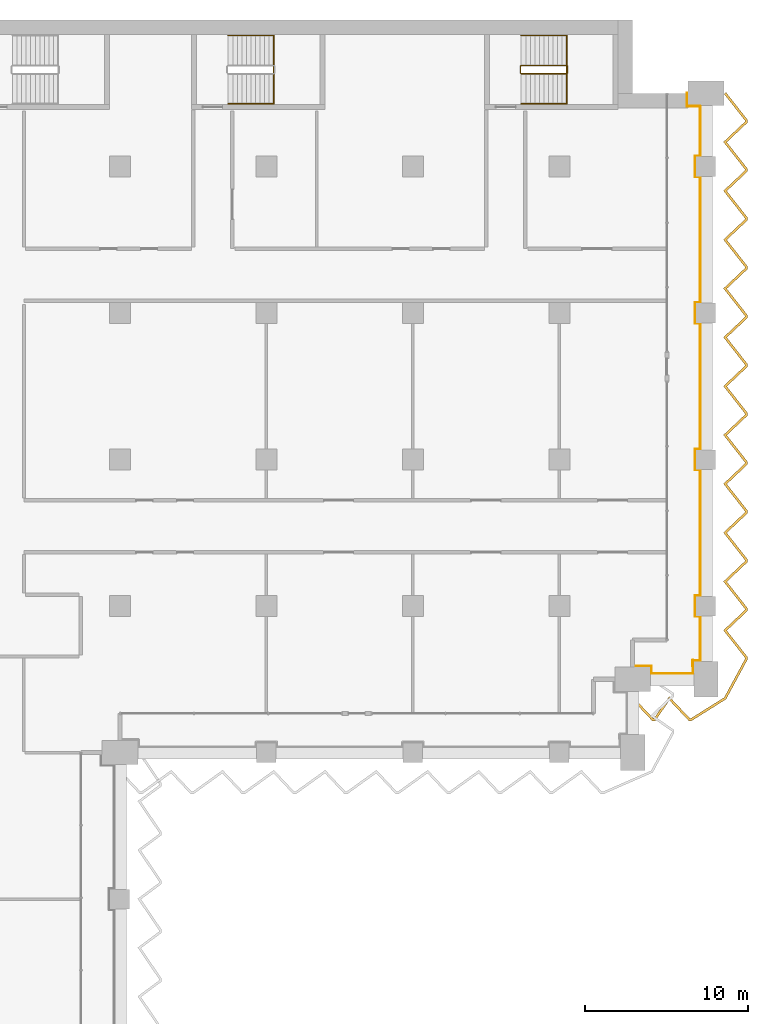
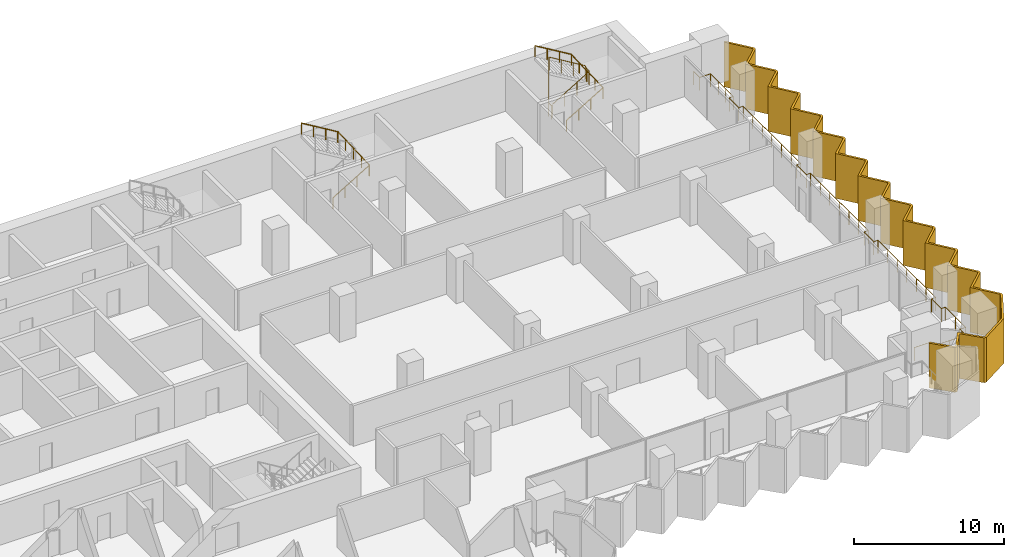
# One storey, part 22 of 22: 4 railings, 1 shading device.
"""IFC4 building model written with IfcOpenShell, lengths in metres."""

from ifc_helpers import new_model, si_unit, direction, frame, origin, origin_2d, place, context, subcontext, project, spatial, polyline, circle, outline, extrude, material, layer, layer_set, type_object, element, save


model = new_model("IFC4")

# Units and contexts
model_context = context("Model", 3, precision=1e-05, world=origin(), true_north=direction((0.0, 1.0)))
body_context = subcontext(model_context, "Body", "Model", "MODEL_VIEW")
ifc_project = project(units=[si_unit("LENGTHUNIT", "METRE"), si_unit("AREAUNIT", "SQUARE_METRE"), si_unit("VOLUMEUNIT", "CUBIC_METRE"), si_unit("PLANEANGLEUNIT", "RADIAN"), si_unit("MASSUNIT", "GRAM", prefix="KILO")], contexts=[model_context])

# Site, building, storey
site_placement = place(None, origin())
site = spatial("IfcSite", under=ifc_project, at=site_placement, CompositionType="ELEMENT")
building_placement = place(site_placement, origin())
building = spatial("IfcBuilding", under=site, at=building_placement, Name="Hunhe Ridgeline Campus", CompositionType="ELEMENT")
storey_placement = place(building_placement, frame((0.0, 0.0, 118.10009765625)))
storey = spatial("IfcBuildingStorey", under=building, at=storey_placement, Name="L29", CompositionType="ELEMENT", Elevation=118.10009765625)

# Railing
ifc_material_1 = material(Name="Steel Q355", Category="steel")
railing_type_1 = type_object("IfcRailingType", Name="Loggia guard 1100 Steel Q355", PredefinedType="GUARDRAIL", material=ifc_material_1)
railing_1_placement = place(storey_placement, frame((76.5, 59.320068359375, 0.0)))
element("IfcRailing", 1, at=railing_1_placement, inside=storey, type_object=railing_type_1, Name="Loggia guard 3", PredefinedType="GUARDRAIL", context=body_context, shape_type="SweptSolid", body=[
    extrude(circle(Radius=0.02392578125, at=origin_2d()), frame((0.0, 0.0, 1.076171875), z_axis=(1.0, 0.0, 0.0), x_axis=(0.0, 1.0, 0.0)), (0.0, 0.0, 1.0), 1.14990234375),
    extrude(circle(Radius=0.02392578125, at=origin_2d()), frame((1.14990234375, 0.0, 1.076171875), z_axis=(0.0, -1.0, 0.0), x_axis=(1.0, 0.0, 0.0)), (0.0, 0.0, 1.0), 0.469970703125),
    extrude(circle(Radius=0.02392578125, at=origin_2d()), frame((1.14990234375, -0.469970703125, 1.076171875), z_axis=(1.0, 0.0, 0.0), x_axis=(0.0, 1.0, 0.0)), (0.0, 0.0, 1.0), 2.550048828125),
    extrude(circle(Radius=0.02392578125, at=origin_2d()), frame((3.699951171875, -0.469970703125, 1.076171875), z_axis=(0.0, 1.0, 0.0), x_axis=(-1.0, 0.0, 0.0)), (0.0, 0.0, 1.0), 0.81982421875),
    extrude(circle(Radius=0.02392578125, at=origin_2d()), frame((3.699951171875, 0.349853515625, 1.076171875), z_axis=(-0.057129153726, -0.99836679622, 0.0), x_axis=(0.99836679622, -0.057129153726, 0.0)), (0.0, 0.0, 1.0), 0.350341796875),
    extrude(circle(Radius=0.02392578125, at=origin_2d()), frame((3.679931640625, 0.0, 1.076171875), z_axis=(0.0, 1.0, 0.0), x_axis=(-1.0, 0.0, 0.0)), (0.0, 0.0, 1.0), 0.329833984375),
    extrude(circle(Radius=0.02392578125, at=origin_2d()), frame((3.679931640625, 0.329833984375, 1.076171875), z_axis=(1.0, 0.0, 0.0), x_axis=(0.0, 1.0, 0.0)), (0.0, 0.0, 1.0), 0.469970703125),
    extrude(circle(Radius=0.02392578125, at=origin_2d()), frame((4.14990234375, 0.329833984375, 1.076171875), z_axis=(0.0, 1.0, 0.0), x_axis=(-1.0, 0.0, 0.0)), (0.0, 0.0, 1.0), 2.7001953125),
    extrude(circle(Radius=0.02392578125, at=origin_2d()), frame((4.14990234375, 3.030029296875, 1.076171875), z_axis=(-1.0, 0.0, 0.0), x_axis=(0.0, -1.0, 0.0)), (0.0, 0.0, 1.0), 0.31982421875),
    extrude(circle(Radius=0.02392578125, at=origin_2d()), frame((3.830078125, 3.030029296875, 1.076171875), z_axis=(0.0, 1.0, 0.0), x_axis=(-1.0, 0.0, 0.0)), (0.0, 0.0, 1.0), 1.2998046875),
    extrude(circle(Radius=0.02392578125, at=origin_2d()), frame((3.830078125, 4.329833984375, 1.076171875), z_axis=(1.0, 0.0, 0.0), x_axis=(0.0, 1.0, 0.0)), (0.0, 0.0, 1.0), 0.31982421875),
    extrude(circle(Radius=0.02392578125, at=origin_2d()), frame((4.14990234375, 4.329833984375, 1.076171875), z_axis=(0.0, 1.0, 0.0), x_axis=(-1.0, 0.0, 0.0)), (0.0, 0.0, 1.0), 7.7001953125),
    extrude(circle(Radius=0.02392578125, at=origin_2d()), frame((4.14990234375, 12.030029296875, 1.076171875), z_axis=(-1.0, 0.0, 0.0), x_axis=(0.0, -1.0, 0.0)), (0.0, 0.0, 1.0), 0.31982421875),
    extrude(circle(Radius=0.02392578125, at=origin_2d()), frame((3.830078125, 12.030029296875, 1.076171875), z_axis=(0.0, 1.0, 0.0), x_axis=(-1.0, 0.0, 0.0)), (0.0, 0.0, 1.0), 1.2998046875),
    extrude(circle(Radius=0.02392578125, at=origin_2d()), frame((3.830078125, 13.329833984375, 1.076171875), z_axis=(1.0, 0.0, 0.0), x_axis=(0.0, 1.0, 0.0)), (0.0, 0.0, 1.0), 0.31982421875),
    extrude(circle(Radius=0.02392578125, at=origin_2d()), frame((4.14990234375, 13.329833984375, 1.076171875), z_axis=(0.0, 1.0, 0.0), x_axis=(-1.0, 0.0, 0.0)), (0.0, 0.0, 1.0), 7.7001953125),
    extrude(circle(Radius=0.02392578125, at=origin_2d()), frame((4.14990234375, 21.030029296875, 1.076171875), z_axis=(-1.0, 0.0, 0.0), x_axis=(0.0, -1.0, 0.0)), (0.0, 0.0, 1.0), 0.31982421875),
    extrude(circle(Radius=0.02392578125, at=origin_2d()), frame((3.830078125, 21.030029296875, 1.076171875), z_axis=(0.0, 1.0, 0.0), x_axis=(-1.0, 0.0, 0.0)), (0.0, 0.0, 1.0), 1.2998046875),
    extrude(circle(Radius=0.02392578125, at=origin_2d()), frame((3.830078125, 22.329833984375, 1.076171875), z_axis=(1.0, 0.0, 0.0), x_axis=(0.0, 1.0, 0.0)), (0.0, 0.0, 1.0), 0.31982421875),
    extrude(circle(Radius=0.02392578125, at=origin_2d()), frame((4.14990234375, 22.329833984375, 1.076171875), z_axis=(0.0, 1.0, 0.0), x_axis=(-1.0, 0.0, 0.0)), (0.0, 0.0, 1.0), 7.7001953125),
    extrude(circle(Radius=0.02392578125, at=origin_2d()), frame((4.14990234375, 30.030029296875, 1.076171875), z_axis=(-1.0, 0.0, 0.0), x_axis=(0.0, -1.0, 0.0)), (0.0, 0.0, 1.0), 0.31982421875),
    extrude(circle(Radius=0.02392578125, at=origin_2d()), frame((3.830078125, 30.030029296875, 1.076171875), z_axis=(0.0, 1.0, 0.0), x_axis=(-1.0, 0.0, 0.0)), (0.0, 0.0, 1.0), 1.2998046875),
    extrude(circle(Radius=0.02392578125, at=origin_2d()), frame((3.830078125, 31.329833984375, 1.076171875), z_axis=(1.0, 0.0, 0.0), x_axis=(0.0, 1.0, 0.0)), (0.0, 0.0, 1.0), 0.31982421875),
    extrude(circle(Radius=0.02392578125, at=origin_2d()), frame((4.14990234375, 31.329833984375, 1.076171875), z_axis=(0.0, 1.0, 0.0), x_axis=(-1.0, 0.0, 0.0)), (0.0, 0.0, 1.0), 3.050048828125),
    extrude(circle(Radius=0.02392578125, at=origin_2d()), frame((4.14990234375, 34.3798828125, 1.076171875), z_axis=(-1.0, 0.0, 0.0), x_axis=(0.0, -1.0, 0.0)), (0.0, 0.0, 1.0), 0.81982421875),
    extrude(circle(Radius=0.02392578125, at=origin_2d()), frame((3.330078125, 34.3798828125, 1.076171875), z_axis=(0.0, 1.0, 0.0), x_axis=(-1.0, 0.0, 0.0)), (0.0, 0.0, 1.0), 0.800048828125),
    extrude(circle(Radius=0.02099609375, at=origin_2d()), origin(), (0.0, 0.0, 1.0), 1.052001953125),
    extrude(circle(Radius=0.02099609375, at=origin_2d()), frame((1.14990234375, 0.0, 0.0)), (0.0, 0.0, 1.0), 1.052001953125),
    extrude(circle(Radius=0.02099609375, at=origin_2d()), frame((1.14990234375, -0.469970703125, 0.0)), (0.0, 0.0, 1.0), 1.052001953125),
    extrude(circle(Radius=0.02099609375, at=origin_2d()), frame((2.4248046875, -0.469970703125, 0.0)), (0.0, 0.0, 1.0), 1.052001953125),
    extrude(circle(Radius=0.02099609375, at=origin_2d()), frame((3.699951171875, -0.469970703125, 0.0)), (0.0, 0.0, 1.0), 1.052001953125),
    extrude(circle(Radius=0.02099609375, at=origin_2d()), frame((3.699951171875, 0.349853515625, 0.0)), (0.0, 0.0, 1.0), 1.052001953125),
    extrude(circle(Radius=0.02099609375, at=origin_2d()), frame((3.679931640625, 0.0, 0.0)), (0.0, 0.0, 1.0), 1.052001953125),
    extrude(circle(Radius=0.02099609375, at=origin_2d()), frame((3.679931640625, 0.329833984375, 0.0)), (0.0, 0.0, 1.0), 1.052001953125),
    extrude(circle(Radius=0.02099609375, at=origin_2d()), frame((4.14990234375, 0.329833984375, 0.0)), (0.0, 0.0, 1.0), 1.052001953125),
    extrude(circle(Radius=0.02099609375, at=origin_2d()), frame((4.14990234375, 1.679931640625, 0.0)), (0.0, 0.0, 1.0), 1.052001953125),
    extrude(circle(Radius=0.02099609375, at=origin_2d()), frame((4.14990234375, 3.030029296875, 0.0)), (0.0, 0.0, 1.0), 1.052001953125),
    extrude(circle(Radius=0.02099609375, at=origin_2d()), frame((3.830078125, 3.030029296875, 0.0)), (0.0, 0.0, 1.0), 1.052001953125),
    extrude(circle(Radius=0.02099609375, at=origin_2d()), frame((3.830078125, 4.329833984375, 0.0)), (0.0, 0.0, 1.0), 1.052001953125),
    extrude(circle(Radius=0.02099609375, at=origin_2d()), frame((4.14990234375, 4.329833984375, 0.0)), (0.0, 0.0, 1.0), 1.052001953125),
    extrude(circle(Radius=0.02099609375, at=origin_2d()), frame((4.14990234375, 5.61328125, 0.0)), (0.0, 0.0, 1.0), 1.052001953125),
    extrude(circle(Radius=0.02099609375, at=origin_2d()), frame((4.14990234375, 6.896484375, 0.0)), (0.0, 0.0, 1.0), 1.052001953125),
    extrude(circle(Radius=0.02099609375, at=origin_2d()), frame((4.14990234375, 8.179931640625, 0.0)), (0.0, 0.0, 1.0), 1.052001953125),
    extrude(circle(Radius=0.02099609375, at=origin_2d()), frame((4.14990234375, 9.46337890625, 0.0)), (0.0, 0.0, 1.0), 1.052001953125),
    extrude(circle(Radius=0.02099609375, at=origin_2d()), frame((4.14990234375, 10.74658203125, 0.0)), (0.0, 0.0, 1.0), 1.052001953125),
    extrude(circle(Radius=0.02099609375, at=origin_2d()), frame((4.14990234375, 12.030029296875, 0.0)), (0.0, 0.0, 1.0), 1.052001953125),
    extrude(circle(Radius=0.02099609375, at=origin_2d()), frame((3.830078125, 12.030029296875, 0.0)), (0.0, 0.0, 1.0), 1.052001953125),
    extrude(circle(Radius=0.02099609375, at=origin_2d()), frame((3.830078125, 13.329833984375, 0.0)), (0.0, 0.0, 1.0), 1.052001953125),
    extrude(circle(Radius=0.02099609375, at=origin_2d()), frame((4.14990234375, 13.329833984375, 0.0)), (0.0, 0.0, 1.0), 1.052001953125),
    extrude(circle(Radius=0.02099609375, at=origin_2d()), frame((4.14990234375, 14.61328125, 0.0)), (0.0, 0.0, 1.0), 1.052001953125),
    extrude(circle(Radius=0.02099609375, at=origin_2d()), frame((4.14990234375, 15.896484375, 0.0)), (0.0, 0.0, 1.0), 1.052001953125),
    extrude(circle(Radius=0.02099609375, at=origin_2d()), frame((4.14990234375, 17.179931640625, 0.0)), (0.0, 0.0, 1.0), 1.052001953125),
    extrude(circle(Radius=0.02099609375, at=origin_2d()), frame((4.14990234375, 18.46337890625, 0.0)), (0.0, 0.0, 1.0), 1.052001953125),
    extrude(circle(Radius=0.02099609375, at=origin_2d()), frame((4.14990234375, 19.74658203125, 0.0)), (0.0, 0.0, 1.0), 1.052001953125),
    extrude(circle(Radius=0.02099609375, at=origin_2d()), frame((4.14990234375, 21.030029296875, 0.0)), (0.0, 0.0, 1.0), 1.052001953125),
    extrude(circle(Radius=0.02099609375, at=origin_2d()), frame((3.830078125, 21.030029296875, 0.0)), (0.0, 0.0, 1.0), 1.052001953125),
    extrude(circle(Radius=0.02099609375, at=origin_2d()), frame((3.830078125, 22.329833984375, 0.0)), (0.0, 0.0, 1.0), 1.052001953125),
    extrude(circle(Radius=0.02099609375, at=origin_2d()), frame((4.14990234375, 22.329833984375, 0.0)), (0.0, 0.0, 1.0), 1.052001953125),
    extrude(circle(Radius=0.02099609375, at=origin_2d()), frame((4.14990234375, 23.61328125, 0.0)), (0.0, 0.0, 1.0), 1.052001953125),
    extrude(circle(Radius=0.02099609375, at=origin_2d()), frame((4.14990234375, 24.896484375, 0.0)), (0.0, 0.0, 1.0), 1.052001953125),
    extrude(circle(Radius=0.02099609375, at=origin_2d()), frame((4.14990234375, 26.179931640625, 0.0)), (0.0, 0.0, 1.0), 1.052001953125),
    extrude(circle(Radius=0.02099609375, at=origin_2d()), frame((4.14990234375, 27.46337890625, 0.0)), (0.0, 0.0, 1.0), 1.052001953125),
    extrude(circle(Radius=0.02099609375, at=origin_2d()), frame((4.14990234375, 28.74658203125, 0.0)), (0.0, 0.0, 1.0), 1.052001953125),
    extrude(circle(Radius=0.02099609375, at=origin_2d()), frame((4.14990234375, 30.030029296875, 0.0)), (0.0, 0.0, 1.0), 1.052001953125),
    extrude(circle(Radius=0.02099609375, at=origin_2d()), frame((3.830078125, 30.030029296875, 0.0)), (0.0, 0.0, 1.0), 1.052001953125),
    extrude(circle(Radius=0.02099609375, at=origin_2d()), frame((3.830078125, 31.329833984375, 0.0)), (0.0, 0.0, 1.0), 1.052001953125),
    extrude(circle(Radius=0.02099609375, at=origin_2d()), frame((4.14990234375, 31.329833984375, 0.0)), (0.0, 0.0, 1.0), 1.052001953125),
    extrude(circle(Radius=0.02099609375, at=origin_2d()), frame((4.14990234375, 32.346435546875, 0.0)), (0.0, 0.0, 1.0), 1.052001953125),
    extrude(circle(Radius=0.02099609375, at=origin_2d()), frame((4.14990234375, 33.36328125, 0.0)), (0.0, 0.0, 1.0), 1.052001953125),
    extrude(circle(Radius=0.02099609375, at=origin_2d()), frame((4.14990234375, 34.3798828125, 0.0)), (0.0, 0.0, 1.0), 1.052001953125),
    extrude(circle(Radius=0.02099609375, at=origin_2d()), frame((3.330078125, 34.3798828125, 0.0)), (0.0, 0.0, 1.0), 1.052001953125),
    extrude(circle(Radius=0.02099609375, at=origin_2d()), frame((3.330078125, 35.179931640625, 0.0)), (0.0, 0.0, 1.0), 1.052001953125),
])

# Shading device
ifc_material_2 = material(Name="Concrete C50", Category="concrete")
ifc_layer = layer(ifc_material_2, 0.14990234375)
ifc_layer_set = layer_set([ifc_layer], Name="Sawtooth concrete fin 150 Concrete C50")
shading_device_type = type_object("IfcShadingDeviceType", Name="Sawtooth concrete fin 150 Concrete C50", PredefinedType="USERDEFINED", material=ifc_layer_set)
shading_device_placement = place(storey_placement, frame((0.0, 0.0, -0.9501953125)))
element("IfcShadingDevice", 2, at=shading_device_placement, inside=storey, type_object=shading_device_type, Name="Concrete fin screen 3", ObjectType="FIN", PredefinedType="USERDEFINED", context=body_context, shape_type="SweptSolid", body=[
    extrude(outline(polyline([(76.554443359375, 57.37646484375), (76.445556640625, 57.2734375), (77.69384765625, 55.949951171875), (77.88525390625, 55.949951171875), (78.7587890625, 57.206298828125), (79.94384765625, 55.949951171875), (80.11767578125, 55.949951171875), (82.2314453125, 57.27197265625), (83.550048828125, 59.70703125), (83.550048828125, 59.8720703125), (82.2763671875, 61.492431640625), (83.550048828125, 62.69384765625), (83.550048828125, 62.8720703125), (82.2763671875, 64.492431640625), (83.550048828125, 65.69384765625), (83.550048828125, 65.8720703125), (82.2763671875, 67.492431640625), (83.550048828125, 68.69384765625), (83.550048828125, 68.8720703125), (82.2763671875, 70.492431640625), (83.550048828125, 71.69384765625), (83.550048828125, 71.8720703125), (82.2763671875, 73.492431640625), (83.550048828125, 74.69384765625), (83.550048828125, 74.8720703125), (82.2763671875, 76.492431640625), (83.550048828125, 77.69384765625), (83.550048828125, 77.8720703125), (82.2763671875, 79.492431640625), (83.550048828125, 80.69384765625), (83.550048828125, 80.8720703125), (82.2763671875, 82.492431640625), (83.550048828125, 83.69384765625), (83.550048828125, 83.8720703125), (82.2763671875, 85.492431640625), (83.550048828125, 86.69384765625), (83.550048828125, 86.8720703125), (82.2763671875, 88.492431640625), (83.550048828125, 89.69384765625), (83.550048828125, 89.8720703125), (82.2763671875, 91.492431640625), (83.550048828125, 92.69384765625), (83.550048828125, 92.8720703125), (82.23388671875, 94.54638671875), (82.115966796875, 94.45361328125), (83.39990234375, 92.820068359375), (83.39990234375, 92.758544921875), (82.07373046875, 91.507568359375), (83.39990234375, 89.820068359375), (83.39990234375, 89.758544921875), (82.07373046875, 88.507568359375), (83.39990234375, 86.820068359375), (83.39990234375, 86.758544921875), (82.07373046875, 85.507568359375), (83.39990234375, 83.820068359375), (83.39990234375, 83.758544921875), (82.07373046875, 82.507568359375), (83.39990234375, 80.820068359375), (83.39990234375, 80.758544921875), (82.07373046875, 79.507568359375), (83.39990234375, 77.820068359375), (83.39990234375, 77.758544921875), (82.07373046875, 76.507568359375), (83.39990234375, 74.820068359375), (83.39990234375, 74.758544921875), (82.07373046875, 73.507568359375), (83.39990234375, 71.820068359375), (83.39990234375, 71.758544921875), (82.07373046875, 70.507568359375), (83.39990234375, 68.820068359375), (83.39990234375, 68.758544921875), (82.07373046875, 67.507568359375), (83.39990234375, 65.820068359375), (83.39990234375, 65.758544921875), (82.07373046875, 64.507568359375), (83.39990234375, 62.820068359375), (83.39990234375, 62.758544921875), (82.07373046875, 61.507568359375), (83.39990234375, 59.820068359375), (83.39990234375, 59.7451171875), (82.118408203125, 57.378173828125), (80.07470703125, 56.10009765625), (80.008544921875, 56.10009765625), (78.7412109375, 57.443603515625), (77.806884765625, 56.10009765625), (77.758544921875, 56.10009765625), (76.554443359375, 57.37646484375)])), origin(), (0.0, 0.0, 1.0), 3.650146484375),
])

# Railings
ifc_material_3 = material(Name="Stainless steel balustrade", Category="steel")
railing_type_2 = type_object("IfcRailingType", Name="Stair guard 1100 stainless", PredefinedType="GUARDRAIL", material=ifc_material_3)
railing_2_placement = place(storey_placement, frame((69.64990234375, 95.699951171875, 0.16796875)))
element("IfcRailing", 3, at=railing_2_placement, inside=storey, type_object=railing_type_2, Name="L29 stair E3 guard", PredefinedType="GUARDRAIL", context=body_context, shape_type="SweptSolid", body=[
    extrude(circle(Radius=0.02392578125, at=origin_2d()), frame((0.0, 0.0, 1.076171875), z_axis=(0.857242210791, 0.0, 0.514913383045), x_axis=(0.0, 1.0, 0.0)), (0.0, 0.0, 1.0), 3.266357421875),
    extrude(circle(Radius=0.02392578125, at=origin_2d()), frame((2.800048828125, 0.0, 2.7578125), z_axis=(0.707106781187, 0.707106781187, 0.0), x_axis=(-0.707106781187, 0.707106781187, 0.0)), (0.0, 0.0, 1.0), 0.07080078125),
    extrude(circle(Radius=0.02392578125, at=origin_2d()), frame((2.85009765625, 0.050048828125, 2.7578125), z_axis=(0.0, 1.0, 0.0), x_axis=(-1.0, 0.0, 0.0)), (0.0, 0.0, 1.0), 0.39990234375),
    extrude(circle(Radius=0.02392578125, at=origin_2d()), frame((2.85009765625, 0.449951171875, 2.7578125), z_axis=(-0.274243871929, 0.274243871929, 0.92172696468), x_axis=(-0.707106781187, -0.707106781187, 0.0)), (0.0, 0.0, 1.0), 0.1826171875),
    extrude(circle(Radius=0.02392578125, at=origin_2d()), frame((2.800048828125, 0.5, 2.92626953125), z_axis=(-0.857242210791, 0.0, 0.514913383045), x_axis=(0.0, -1.0, 0.0)), (0.0, 0.0, 1.0), 3.266357421875),
    extrude(circle(Radius=0.02392578125, at=origin_2d()), frame((0.0, 0.5, 4.60791015625), z_axis=(-0.013458453615, -0.013524426427, -0.999817963389), x_axis=(0.708833529934, -0.705375805398, 0.0)), (0.0, 0.0, 1.0), 3.70068359375),
    extrude(circle(Radius=0.02392578125, at=origin_2d()), frame((-0.0498046875, 0.449951171875, 0.908203125), z_axis=(0.0, -1.0, 0.0), x_axis=(1.0, 0.0, 0.0)), (0.0, 0.0, 1.0), 0.39990234375),
    extrude(circle(Radius=0.02099609375, at=origin_2d()), origin(), (0.0, 0.0, 1.0), 1.052001953125),
    extrude(circle(Radius=0.02099609375, at=origin_2d()), frame((0.933349609375, 0.0, 0.560546875)), (0.0, 0.0, 1.0), 1.052001953125),
    extrude(circle(Radius=0.02099609375, at=origin_2d()), frame((1.86669921875, 0.0, 1.121337890625)), (0.0, 0.0, 1.0), 1.052001953125),
    extrude(circle(Radius=0.02099609375, at=origin_2d()), frame((2.800048828125, 0.0, 1.681884765625)), (0.0, 0.0, 1.0), 1.052001953125),
    extrude(circle(Radius=0.02099609375, at=origin_2d()), frame((2.85009765625, 0.050048828125, 1.681884765625)), (0.0, 0.0, 1.0), 1.052001953125),
    extrude(circle(Radius=0.02099609375, at=origin_2d()), frame((2.85009765625, 0.449951171875, 1.681884765625)), (0.0, 0.0, 1.0), 1.052001953125),
    extrude(circle(Radius=0.02099609375, at=origin_2d()), frame((2.800048828125, 0.5, 1.85009765625)), (0.0, 0.0, 1.0), 1.052001953125),
    extrude(circle(Radius=0.02099609375, at=origin_2d()), frame((1.86669921875, 0.5, 2.41064453125)), (0.0, 0.0, 1.0), 1.052001953125),
    extrude(circle(Radius=0.02099609375, at=origin_2d()), frame((0.933349609375, 0.5, 2.971435546875)), (0.0, 0.0, 1.0), 1.052001953125),
    extrude(circle(Radius=0.02099609375, at=origin_2d()), frame((0.0, 0.5, 3.531982421875)), (0.0, 0.0, 1.0), 1.052001953125),
    extrude(circle(Radius=0.02099609375, at=origin_2d()), frame((-0.012451171875, 0.487548828125, 2.60693359375)), (0.0, 0.0, 1.0), 1.052001953125),
    extrude(circle(Radius=0.02099609375, at=origin_2d()), frame((-0.02490234375, 0.47509765625, 1.68212890625)), (0.0, 0.0, 1.0), 1.052001953125),
    extrude(circle(Radius=0.02099609375, at=origin_2d()), frame((-0.037353515625, 0.46240234375, 0.757080078125)), (0.0, 0.0, 1.0), 1.052001953125),
    extrude(circle(Radius=0.02099609375, at=origin_2d()), frame((-0.0498046875, 0.449951171875, -0.16796875)), (0.0, 0.0, 1.0), 1.052001953125),
    extrude(circle(Radius=0.02099609375, at=origin_2d()), frame((-0.0498046875, 0.050048828125, -0.16796875)), (0.0, 0.0, 1.0), 1.052001953125),
])
ifc_material_4 = material(Name="Stainless steel handrail", Category="steel")
railing_type_3 = type_object("IfcRailingType", Name="Stair handrail 900 stainless", PredefinedType="HANDRAIL", material=ifc_material_4)
railing_3_placement = place(storey_placement, frame((51.64990234375, 93.85009765625, 0.16796875)))
element("IfcRailing", 4, at=railing_3_placement, inside=storey, type_object=railing_type_3, Name="L29 stair E2 handrail", PredefinedType="HANDRAIL", context=body_context, shape_type="SweptSolid", body=[
    extrude(circle(Radius=0.02392578125, at=origin_2d()), frame((0.0, 0.0, 0.8759765625), z_axis=(0.857242210791, 0.0, 0.514913383045), x_axis=(0.0, 1.0, 0.0)), (0.0, 0.0, 1.0), 3.266357421875),
    extrude(circle(Radius=0.02392578125, at=origin_2d()), frame((2.800048828125, 0.0, 2.5576171875), z_axis=(0.0, 0.999198916169, 0.040019069537), x_axis=(-1.0, 0.0, 0.0)), (0.0, 0.0, 1.0), 4.203369140625),
    extrude(circle(Radius=0.02392578125, at=origin_2d()), frame((2.800048828125, 4.199951171875, 2.72607421875), z_axis=(-0.857242210791, 0.0, 0.514913383045), x_axis=(0.0, -1.0, 0.0)), (0.0, 0.0, 1.0), 3.266357421875),
    extrude(circle(Radius=0.02099609375, at=origin_2d()), origin(), (0.0, 0.0, 1.0), 0.851806640625),
    extrude(circle(Radius=0.02099609375, at=origin_2d()), frame((0.933349609375, 0.0, 0.560546875)), (0.0, 0.0, 1.0), 0.851806640625),
    extrude(circle(Radius=0.02099609375, at=origin_2d()), frame((1.86669921875, 0.0, 1.121337890625)), (0.0, 0.0, 1.0), 0.851806640625),
    extrude(circle(Radius=0.02099609375, at=origin_2d()), frame((2.800048828125, 0.0, 1.681884765625)), (0.0, 0.0, 1.0), 0.851806640625),
    extrude(circle(Radius=0.02099609375, at=origin_2d()), frame((2.800048828125, 1.050048828125, 1.723876953125)), (0.0, 0.0, 1.0), 0.851806640625),
    extrude(circle(Radius=0.02099609375, at=origin_2d()), frame((2.800048828125, 2.10009765625, 1.76611328125)), (0.0, 0.0, 1.0), 0.851806640625),
    extrude(circle(Radius=0.02099609375, at=origin_2d()), frame((2.800048828125, 3.14990234375, 1.80810546875)), (0.0, 0.0, 1.0), 0.851806640625),
    extrude(circle(Radius=0.02099609375, at=origin_2d()), frame((2.800048828125, 4.199951171875, 1.85009765625)), (0.0, 0.0, 1.0), 0.851806640625),
    extrude(circle(Radius=0.02099609375, at=origin_2d()), frame((1.86669921875, 4.199951171875, 2.41064453125)), (0.0, 0.0, 1.0), 0.851806640625),
    extrude(circle(Radius=0.02099609375, at=origin_2d()), frame((0.933349609375, 4.199951171875, 2.971435546875)), (0.0, 0.0, 1.0), 0.851806640625),
    extrude(circle(Radius=0.02099609375, at=origin_2d()), frame((0.0, 4.199951171875, 3.531982421875)), (0.0, 0.0, 1.0), 0.851806640625),
])
railing_4_placement = place(storey_placement, frame((69.64990234375, 93.85009765625, 0.16796875)))
element("IfcRailing", 5, at=railing_4_placement, inside=storey, type_object=railing_type_3, Name="L29 stair E3 handrail", PredefinedType="HANDRAIL", context=body_context, shape_type="SweptSolid", body=[
    extrude(circle(Radius=0.02392578125, at=origin_2d()), frame((0.0, 0.0, 0.8759765625), z_axis=(0.857242210791, 0.0, 0.514913383045), x_axis=(0.0, 1.0, 0.0)), (0.0, 0.0, 1.0), 3.266357421875),
    extrude(circle(Radius=0.02392578125, at=origin_2d()), frame((2.800048828125, 0.0, 2.5576171875), z_axis=(0.0, 0.999198916169, 0.040019069537), x_axis=(-1.0, 0.0, 0.0)), (0.0, 0.0, 1.0), 4.203369140625),
    extrude(circle(Radius=0.02392578125, at=origin_2d()), frame((2.800048828125, 4.199951171875, 2.72607421875), z_axis=(-0.857242210791, 0.0, 0.514913383045), x_axis=(0.0, -1.0, 0.0)), (0.0, 0.0, 1.0), 3.266357421875),
    extrude(circle(Radius=0.02099609375, at=origin_2d()), origin(), (0.0, 0.0, 1.0), 0.851806640625),
    extrude(circle(Radius=0.02099609375, at=origin_2d()), frame((0.933349609375, 0.0, 0.560546875)), (0.0, 0.0, 1.0), 0.851806640625),
    extrude(circle(Radius=0.02099609375, at=origin_2d()), frame((1.86669921875, 0.0, 1.121337890625)), (0.0, 0.0, 1.0), 0.851806640625),
    extrude(circle(Radius=0.02099609375, at=origin_2d()), frame((2.800048828125, 0.0, 1.681884765625)), (0.0, 0.0, 1.0), 0.851806640625),
    extrude(circle(Radius=0.02099609375, at=origin_2d()), frame((2.800048828125, 1.050048828125, 1.723876953125)), (0.0, 0.0, 1.0), 0.851806640625),
    extrude(circle(Radius=0.02099609375, at=origin_2d()), frame((2.800048828125, 2.10009765625, 1.76611328125)), (0.0, 0.0, 1.0), 0.851806640625),
    extrude(circle(Radius=0.02099609375, at=origin_2d()), frame((2.800048828125, 3.14990234375, 1.80810546875)), (0.0, 0.0, 1.0), 0.851806640625),
    extrude(circle(Radius=0.02099609375, at=origin_2d()), frame((2.800048828125, 4.199951171875, 1.85009765625)), (0.0, 0.0, 1.0), 0.851806640625),
    extrude(circle(Radius=0.02099609375, at=origin_2d()), frame((1.86669921875, 4.199951171875, 2.41064453125)), (0.0, 0.0, 1.0), 0.851806640625),
    extrude(circle(Radius=0.02099609375, at=origin_2d()), frame((0.933349609375, 4.199951171875, 2.971435546875)), (0.0, 0.0, 1.0), 0.851806640625),
    extrude(circle(Radius=0.02099609375, at=origin_2d()), frame((0.0, 4.199951171875, 3.531982421875)), (0.0, 0.0, 1.0), 0.851806640625),
])

save(model, "model.ifc")
